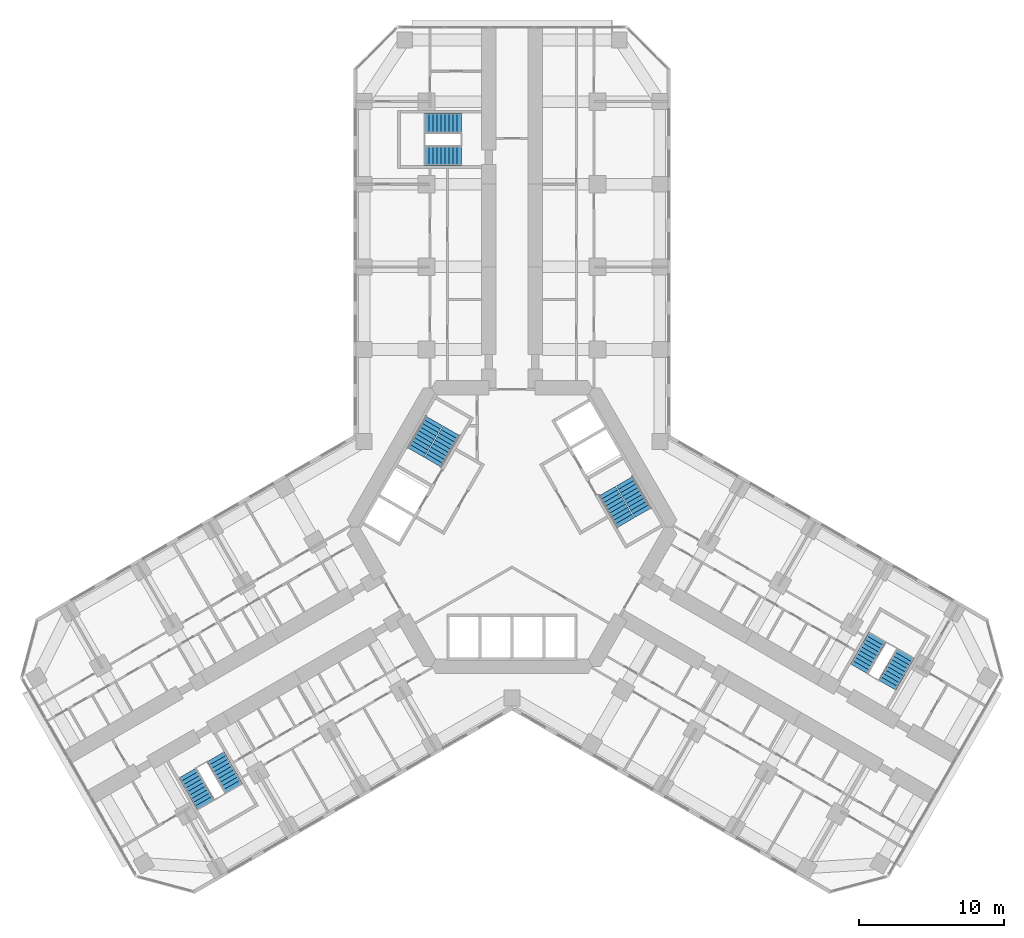
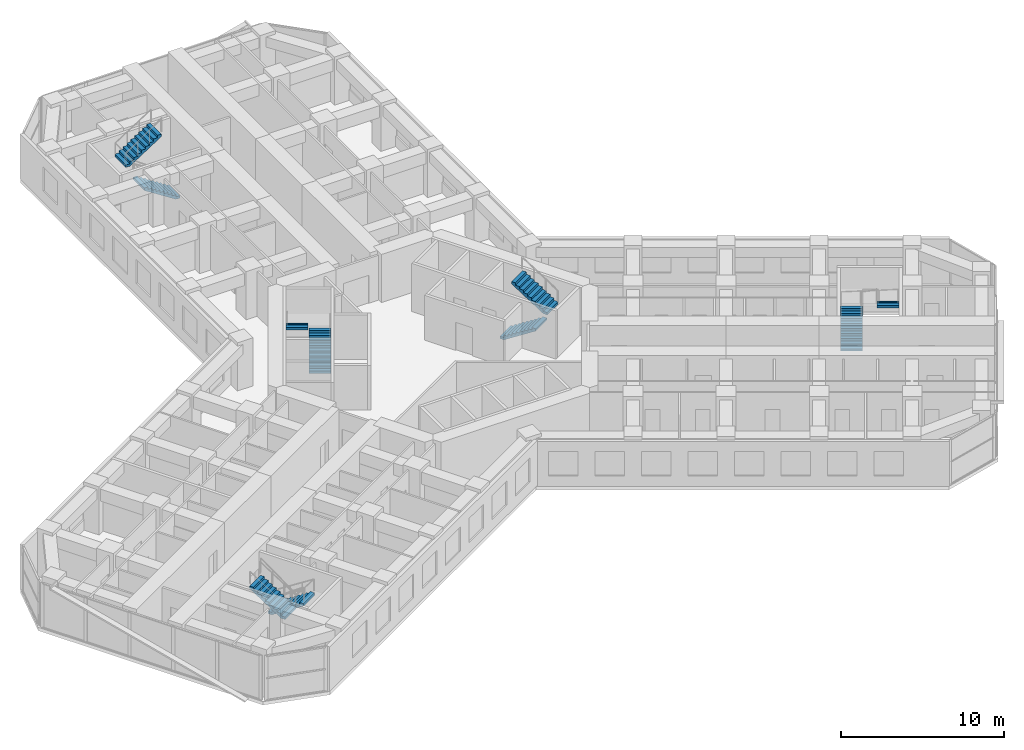
# One storey, part 17 of 18: 10 stair flights, 5 elements without a shape of their own.
"""IFC4 building model written with IfcOpenShell, lengths in metres."""

from ifc_helpers import new_model, si_unit, direction, frame, origin, place, context, subcontext, project, spatial, polyline, outline, extrude, material, type_object, element, aggregate, save


model = new_model("IFC4")

# Units and contexts
model_context = context("Model", 3, precision=1e-05, world=origin(), true_north=direction((0.0, 1.0)))
body_context = subcontext(model_context, "Body", "Model", "MODEL_VIEW")
ifc_project = project(units=[si_unit("LENGTHUNIT", "METRE"), si_unit("AREAUNIT", "SQUARE_METRE"), si_unit("VOLUMEUNIT", "CUBIC_METRE"), si_unit("PLANEANGLEUNIT", "RADIAN"), si_unit("MASSUNIT", "GRAM", prefix="KILO")], contexts=[model_context])

# Site, building, storey
site_placement = place(None, origin())
site = spatial("IfcSite", under=ifc_project, at=site_placement, CompositionType="ELEMENT")
building_placement = place(site_placement, origin())
building = spatial("IfcBuilding", under=site, at=building_placement, Name="Kosmar Iwan School Tower", CompositionType="ELEMENT")
storey_placement = place(building_placement, frame((0.0, 0.0, 25.199951171875)))
storey = spatial("IfcBuildingStorey", under=building, at=storey_placement, Name="L05", CompositionType="ELEMENT", Elevation=25.199951171875)

# Stair, stair flights
ifc_material_1 = material(Name="Concrete C35/45", Category="concrete")
stair_type_1 = type_object("IfcStairType", Name="Escape stair 3600", PredefinedType="HALF_TURN_STAIR", material=ifc_material_1)
stair_1_placement = place(storey_placement, origin())
stair_1 = element("IfcStair", 1, at=stair_1_placement, inside=storey, type_object=stair_type_1, Name="Stair WS1 L05", PredefinedType="HALF_TURN_STAIR")
ifc_material_2 = material(Name="Concrete C35/45", Category="concrete")
stair_flight_type_1 = type_object("IfcStairFlightType", Name="Escape stair flight 1350", PredefinedType="STRAIGHT", material=ifc_material_2)
stair_flight_1_placement = place(storey_placement, frame((-3.5, 25.625, 0.0), z_axis=(0.0, 0.0, 1.0), x_axis=(-1.0, 0.0, 0.0)))
stair_flight_1 = element("IfcStairFlight", 2, at=stair_flight_1_placement, type_object=stair_flight_type_1, Name="WS1 flight 1", NumberOfRisers=10, NumberOfTreads=9, PredefinedType="STRAIGHT", RiserHeight=0.18, TreadLength=0.28, context=body_context, shape_type="SweptSolid", body=[
    extrude(outline(polyline([(0.0, 0.0), (0.0, 0.179931640625), (0.280029296875, 0.179931640625), (0.280029296875, 0.360107421875), (0.56005859375, 0.360107421875), (0.56005859375, 0.5400390625), (0.840087890625, 0.5400390625), (0.840087890625, 0.719970703125), (1.1201171875, 0.719970703125), (1.1201171875, 0.89990234375), (1.39990234375, 0.89990234375), (1.39990234375, 1.080078125), (1.679931640625, 1.080078125), (1.679931640625, 1.260009765625), (1.9599609375, 1.260009765625), (1.9599609375, 1.43994140625), (2.239990234375, 1.43994140625), (2.239990234375, 1.6201171875), (2.52001953125, 1.6201171875), (2.52001953125, 1.800048828125), (2.52001953125, 1.44189453125), (0.277099609375, 0.0), (0.0, 0.0)])), frame((0.0, 0.675048828125, 0.0), z_axis=(0.0, -1.0, 0.0), x_axis=(1.0, 0.0, 0.0)), (0.0, 0.0, 1.0), 1.35009765625),
])
stair_flight_2_placement = place(storey_placement, frame((-6.02001953125, 27.875, 1.800048828125), z_axis=(0.0, 0.0, 1.0), x_axis=(1.0, 0.0, 0.0)))
stair_flight_2 = element("IfcStairFlight", 3, at=stair_flight_2_placement, type_object=stair_flight_type_1, Name="WS1 flight 2", NumberOfRisers=10, NumberOfTreads=9, PredefinedType="STRAIGHT", RiserHeight=0.18, TreadLength=0.28, context=body_context, shape_type="SweptSolid", body=[
    extrude(outline(polyline([(0.0, 0.0), (0.0, 0.179931640625), (0.280029296875, 0.179931640625), (0.280029296875, 0.360107421875), (0.56005859375, 0.360107421875), (0.56005859375, 0.5400390625), (0.840087890625, 0.5400390625), (0.840087890625, 0.719970703125), (1.1201171875, 0.719970703125), (1.1201171875, 0.89990234375), (1.39990234375, 0.89990234375), (1.39990234375, 1.080078125), (1.679931640625, 1.080078125), (1.679931640625, 1.260009765625), (1.9599609375, 1.260009765625), (1.9599609375, 1.43994140625), (2.239990234375, 1.43994140625), (2.239990234375, 1.6201171875), (2.52001953125, 1.6201171875), (2.52001953125, 1.800048828125), (2.52001953125, 1.44189453125), (0.277099609375, 0.0), (0.0, 0.0)])), frame((0.0, 0.675048828125, 0.0), z_axis=(0.0, -1.0, 0.0), x_axis=(1.0, 0.0, 0.0)), (0.0, 0.0, 1.0), 1.35009765625),
])
aggregate(stair_1, [stair_flight_1, stair_flight_2])

stair_2_placement = place(storey_placement, origin())
stair_2 = element("IfcStair", 4, at=stair_2_placement, inside=storey, type_object=stair_type_1, Name="Stair WS2 L05", PredefinedType="HALF_TURN_STAIR")
stair_flight_3_placement = place(storey_placement, frame((-20.44189453125, -15.843505859375, 0.0), z_axis=(0.0, 0.0, 1.0), x_axis=(0.5, -0.866025403784, 0.0)))
stair_flight_3 = element("IfcStairFlight", 5, at=stair_flight_3_placement, type_object=stair_flight_type_1, Name="WS2 flight 1", NumberOfRisers=10, NumberOfTreads=9, PredefinedType="STRAIGHT", RiserHeight=0.18, TreadLength=0.28, context=body_context, shape_type="SweptSolid", body=[
    extrude(outline(polyline([(0.0, 0.0), (0.0, 0.179931640625), (0.280029296875, 0.179931640625), (0.280029296875, 0.360107421875), (0.56005859375, 0.360107421875), (0.56005859375, 0.5400390625), (0.840087890625, 0.5400390625), (0.840087890625, 0.719970703125), (1.1201171875, 0.719970703125), (1.1201171875, 0.89990234375), (1.39990234375, 0.89990234375), (1.39990234375, 1.080078125), (1.679931640625, 1.080078125), (1.679931640625, 1.260009765625), (1.9599609375, 1.260009765625), (1.9599609375, 1.43994140625), (2.239990234375, 1.43994140625), (2.239990234375, 1.6201171875), (2.52001953125, 1.6201171875), (2.52001953125, 1.800048828125), (2.52001953125, 1.44189453125), (0.277099609375, 0.0), (0.0, 0.0)])), frame((0.0, 0.675048828125, 0.0), z_axis=(0.0, -1.0, 0.0), x_axis=(1.0, 0.0, 0.0)), (0.0, 0.0, 1.0), 1.35009765625),
])
stair_flight_4_placement = place(storey_placement, frame((-21.13037109375, -19.15087890625, 1.800048828125), z_axis=(0.0, 0.0, 1.0), x_axis=(-0.5, 0.866025403784, 0.0)))
stair_flight_4 = element("IfcStairFlight", 6, at=stair_flight_4_placement, type_object=stair_flight_type_1, Name="WS2 flight 2", NumberOfRisers=10, NumberOfTreads=9, PredefinedType="STRAIGHT", RiserHeight=0.18, TreadLength=0.28, context=body_context, shape_type="SweptSolid", body=[
    extrude(outline(polyline([(0.0, 0.0), (0.0, 0.179931640625), (0.280029296875, 0.179931640625), (0.280029296875, 0.360107421875), (0.56005859375, 0.360107421875), (0.56005859375, 0.5400390625), (0.840087890625, 0.5400390625), (0.840087890625, 0.719970703125), (1.1201171875, 0.719970703125), (1.1201171875, 0.89990234375), (1.39990234375, 0.89990234375), (1.39990234375, 1.080078125), (1.679931640625, 1.080078125), (1.679931640625, 1.260009765625), (1.9599609375, 1.260009765625), (1.9599609375, 1.43994140625), (2.239990234375, 1.43994140625), (2.239990234375, 1.6201171875), (2.52001953125, 1.6201171875), (2.52001953125, 1.800048828125), (2.52001953125, 1.44189453125), (0.277099609375, 0.0), (0.0, 0.0)])), frame((0.0, 0.675048828125, 0.0), z_axis=(0.0, -1.0, 0.0), x_axis=(1.0, 0.0, 0.0)), (0.0, 0.0, 1.0), 1.35009765625),
])
aggregate(stair_2, [stair_flight_3, stair_flight_4])

stair_3_placement = place(storey_placement, origin())
stair_3 = element("IfcStair", 7, at=stair_3_placement, inside=storey, type_object=stair_type_1, Name="Stair WS3 L05", PredefinedType="HALF_TURN_STAIR")
stair_flight_5_placement = place(storey_placement, frame((23.94189453125, -9.781494140625, 0.0), z_axis=(0.0, 0.0, 1.0), x_axis=(0.5, 0.866025403784, 0.0)))
stair_flight_5 = element("IfcStairFlight", 8, at=stair_flight_5_placement, type_object=stair_flight_type_1, Name="WS3 flight 1", NumberOfRisers=10, NumberOfTreads=9, PredefinedType="STRAIGHT", RiserHeight=0.18, TreadLength=0.28, context=body_context, shape_type="SweptSolid", body=[
    extrude(outline(polyline([(0.0, 0.0), (0.0, 0.179931640625), (0.280029296875, 0.179931640625), (0.280029296875, 0.360107421875), (0.56005859375, 0.360107421875), (0.56005859375, 0.5400390625), (0.840087890625, 0.5400390625), (0.840087890625, 0.719970703125), (1.1201171875, 0.719970703125), (1.1201171875, 0.89990234375), (1.39990234375, 0.89990234375), (1.39990234375, 1.080078125), (1.679931640625, 1.080078125), (1.679931640625, 1.260009765625), (1.9599609375, 1.260009765625), (1.9599609375, 1.43994140625), (2.239990234375, 1.43994140625), (2.239990234375, 1.6201171875), (2.52001953125, 1.6201171875), (2.52001953125, 1.800048828125), (2.52001953125, 1.44189453125), (0.277099609375, 0.0), (0.0, 0.0)])), frame((0.0, 0.675048828125, 0.0), z_axis=(0.0, -1.0, 0.0), x_axis=(1.0, 0.0, 0.0)), (0.0, 0.0, 1.0), 1.35009765625),
])
stair_flight_6_placement = place(storey_placement, frame((27.150390625, -8.72412109375, 1.800048828125), z_axis=(0.0, 0.0, 1.0), x_axis=(-0.5, -0.866025403784, 0.0)))
stair_flight_6 = element("IfcStairFlight", 9, at=stair_flight_6_placement, type_object=stair_flight_type_1, Name="WS3 flight 2", NumberOfRisers=10, NumberOfTreads=9, PredefinedType="STRAIGHT", RiserHeight=0.18, TreadLength=0.28, context=body_context, shape_type="SweptSolid", body=[
    extrude(outline(polyline([(0.0, 0.0), (0.0, 0.179931640625), (0.280029296875, 0.179931640625), (0.280029296875, 0.360107421875), (0.56005859375, 0.360107421875), (0.56005859375, 0.5400390625), (0.840087890625, 0.5400390625), (0.840087890625, 0.719970703125), (1.1201171875, 0.719970703125), (1.1201171875, 0.89990234375), (1.39990234375, 0.89990234375), (1.39990234375, 1.080078125), (1.679931640625, 1.080078125), (1.679931640625, 1.260009765625), (1.9599609375, 1.260009765625), (1.9599609375, 1.43994140625), (2.239990234375, 1.43994140625), (2.239990234375, 1.6201171875), (2.52001953125, 1.6201171875), (2.52001953125, 1.800048828125), (2.52001953125, 1.44189453125), (0.277099609375, 0.0), (0.0, 0.0)])), frame((0.0, 0.675048828125, 0.0), z_axis=(0.0, -1.0, 0.0), x_axis=(1.0, 0.0, 0.0)), (0.0, 0.0, 1.0), 1.35009765625),
])
aggregate(stair_3, [stair_flight_5, stair_flight_6])

ifc_material_3 = material(Name="Concrete C35/45", Category="concrete")
stair_type_2 = type_object("IfcStairType", Name="Core stair 2750", PredefinedType="HALF_TURN_STAIR", material=ifc_material_3)
stair_4_placement = place(storey_placement, origin())
stair_4 = element("IfcStair", 10, at=stair_4_placement, inside=storey, type_object=stair_type_2, Name="Stair ST2 L05", PredefinedType="HALF_TURN_STAIR")
ifc_material_4 = material(Name="Concrete C35/45", Category="concrete")
stair_flight_type_2 = type_object("IfcStairFlightType", Name="Stair flight 1350", PredefinedType="STRAIGHT", material=ifc_material_4)
stair_flight_7_placement = place(storey_placement, frame((-5.42724609375, 4.44970703125, 0.0), z_axis=(0.0, 0.0, 1.0), x_axis=(0.5, 0.866025403784, 0.0)))
stair_flight_7 = element("IfcStairFlight", 11, at=stair_flight_7_placement, type_object=stair_flight_type_2, Name="ST2 flight 1", NumberOfRisers=10, NumberOfTreads=9, PredefinedType="STRAIGHT", RiserHeight=0.18, TreadLength=0.28, context=body_context, shape_type="SweptSolid", body=[
    extrude(outline(polyline([(0.0, 0.0), (0.0, 0.179931640625), (0.280029296875, 0.179931640625), (0.280029296875, 0.360107421875), (0.56005859375, 0.360107421875), (0.56005859375, 0.5400390625), (0.840087890625, 0.5400390625), (0.840087890625, 0.719970703125), (1.1201171875, 0.719970703125), (1.1201171875, 0.89990234375), (1.39990234375, 0.89990234375), (1.39990234375, 1.080078125), (1.679931640625, 1.080078125), (1.679931640625, 1.260009765625), (1.9599609375, 1.260009765625), (1.9599609375, 1.43994140625), (2.239990234375, 1.43994140625), (2.239990234375, 1.6201171875), (2.52001953125, 1.6201171875), (2.52001953125, 1.800048828125), (2.52001953125, 1.44189453125), (0.277099609375, 0.0), (0.0, 0.0)])), frame((0.0, 0.675048828125, 0.0), z_axis=(0.0, -1.0, 0.0), x_axis=(1.0, 0.0, 0.0)), (0.0, 0.0, 1.0), 1.35009765625),
])
stair_flight_8_placement = place(storey_placement, frame((-5.379638671875, 7.33203125, 1.800048828125), z_axis=(0.0, 0.0, 1.0), x_axis=(-0.5, -0.866025403784, 0.0)))
stair_flight_8 = element("IfcStairFlight", 12, at=stair_flight_8_placement, type_object=stair_flight_type_2, Name="ST2 flight 2", NumberOfRisers=10, NumberOfTreads=9, PredefinedType="STRAIGHT", RiserHeight=0.18, TreadLength=0.28, context=body_context, shape_type="SweptSolid", body=[
    extrude(outline(polyline([(0.0, 0.0), (0.0, 0.179931640625), (0.280029296875, 0.179931640625), (0.280029296875, 0.360107421875), (0.56005859375, 0.360107421875), (0.56005859375, 0.5400390625), (0.840087890625, 0.5400390625), (0.840087890625, 0.719970703125), (1.1201171875, 0.719970703125), (1.1201171875, 0.89990234375), (1.39990234375, 0.89990234375), (1.39990234375, 1.080078125), (1.679931640625, 1.080078125), (1.679931640625, 1.260009765625), (1.9599609375, 1.260009765625), (1.9599609375, 1.43994140625), (2.239990234375, 1.43994140625), (2.239990234375, 1.6201171875), (2.52001953125, 1.6201171875), (2.52001953125, 1.800048828125), (2.52001953125, 1.44189453125), (0.277099609375, 0.0), (0.0, 0.0)])), frame((0.0, 0.675048828125, 0.0), z_axis=(0.0, -1.0, 0.0), x_axis=(1.0, 0.0, 0.0)), (0.0, 0.0, 1.0), 1.35009765625),
])
aggregate(stair_4, [stair_flight_7, stair_flight_8])

stair_5_placement = place(storey_placement, origin())
stair_5 = element("IfcStair", 13, at=stair_5_placement, inside=storey, type_object=stair_type_2, Name="Stair ST1 L05", PredefinedType="HALF_TURN_STAIR")
stair_flight_9_placement = place(storey_placement, frame((6.567138671875, 2.475341796875, 0.0), z_axis=(0.0, 0.0, 1.0), x_axis=(0.5, -0.866025403784, 0.0)))
stair_flight_9 = element("IfcStairFlight", 14, at=stair_flight_9_placement, type_object=stair_flight_type_2, Name="ST1 flight 1", NumberOfRisers=10, NumberOfTreads=9, PredefinedType="STRAIGHT", RiserHeight=0.18, TreadLength=0.28, context=body_context, shape_type="SweptSolid", body=[
    extrude(outline(polyline([(0.0, 0.0), (0.0, 0.179931640625), (0.280029296875, 0.179931640625), (0.280029296875, 0.360107421875), (0.56005859375, 0.360107421875), (0.56005859375, 0.5400390625), (0.840087890625, 0.5400390625), (0.840087890625, 0.719970703125), (1.1201171875, 0.719970703125), (1.1201171875, 0.89990234375), (1.39990234375, 0.89990234375), (1.39990234375, 1.080078125), (1.679931640625, 1.080078125), (1.679931640625, 1.260009765625), (1.9599609375, 1.260009765625), (1.9599609375, 1.43994140625), (2.239990234375, 1.43994140625), (2.239990234375, 1.6201171875), (2.52001953125, 1.6201171875), (2.52001953125, 1.800048828125), (2.52001953125, 1.44189453125), (0.277099609375, 0.0), (0.0, 0.0)])), frame((0.0, 0.675048828125, 0.0), z_axis=(0.0, -1.0, 0.0), x_axis=(1.0, 0.0, 0.0)), (0.0, 0.0, 1.0), 1.35009765625),
])
stair_flight_10_placement = place(storey_placement, frame((9.03955078125, 0.992919921875, 1.800048828125), z_axis=(0.0, 0.0, 1.0), x_axis=(-0.5, 0.866025403784, 0.0)))
stair_flight_10 = element("IfcStairFlight", 15, at=stair_flight_10_placement, type_object=stair_flight_type_2, Name="ST1 flight 2", NumberOfRisers=10, NumberOfTreads=9, PredefinedType="STRAIGHT", RiserHeight=0.18, TreadLength=0.28, context=body_context, shape_type="SweptSolid", body=[
    extrude(outline(polyline([(0.0, 0.0), (0.0, 0.179931640625), (0.280029296875, 0.179931640625), (0.280029296875, 0.360107421875), (0.56005859375, 0.360107421875), (0.56005859375, 0.5400390625), (0.840087890625, 0.5400390625), (0.840087890625, 0.719970703125), (1.1201171875, 0.719970703125), (1.1201171875, 0.89990234375), (1.39990234375, 0.89990234375), (1.39990234375, 1.080078125), (1.679931640625, 1.080078125), (1.679931640625, 1.260009765625), (1.9599609375, 1.260009765625), (1.9599609375, 1.43994140625), (2.239990234375, 1.43994140625), (2.239990234375, 1.6201171875), (2.52001953125, 1.6201171875), (2.52001953125, 1.800048828125), (2.52001953125, 1.44189453125), (0.277099609375, 0.0), (0.0, 0.0)])), frame((0.0, 0.675048828125, 0.0), z_axis=(0.0, -1.0, 0.0), x_axis=(1.0, 0.0, 0.0)), (0.0, 0.0, 1.0), 1.35009765625),
])
aggregate(stair_5, [stair_flight_9, stair_flight_10])

save(model, "model.ifc")
